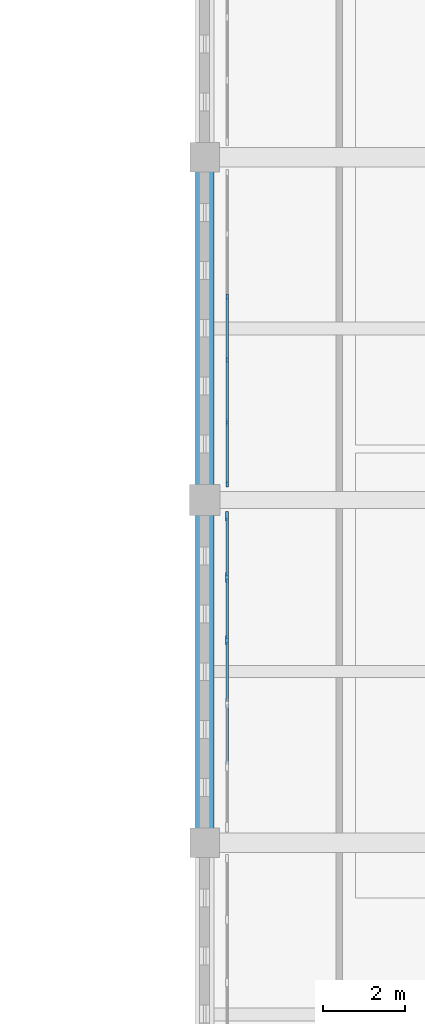
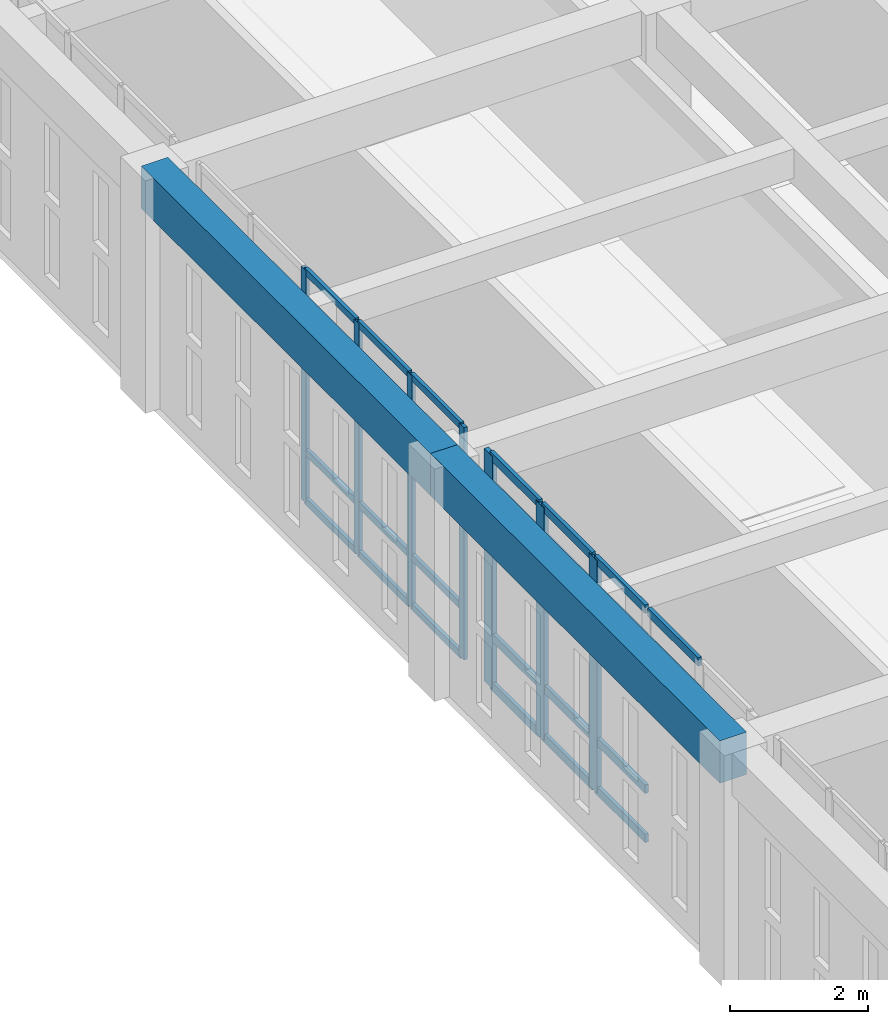
# One storey, part 70 of 192: 33 members, 2 beams, 2 elements without a shape of their own.
"""IFC4 building model written with IfcOpenShell, lengths in metres."""

import ifcopenshell
import ifcopenshell.guid

model = None  # the IFC model being written
_history = None  # IfcOwnerHistory: only IFC2X3 demands one
_inside = {}  # id of a spatial element -> (the spatial element, [elements in it])
_under = {}  # id of a project, library or spatial element -> (it, [spatial elements below it])
_declared = {}  # id of a project -> (the project, [libraries it declares])
_typed = {}  # id of a type object -> (the type object, [elements of that type])
_made_of = {}  # id of a material, layer set ... -> (it, [elements and type objects made of it])


def new_model(schema):
    """Start an empty IFC model of exactly this schema.

    Asked for "IFC4X3", IfcOpenShell would pick the latest addendum, in which some entities
    have other attributes; the version numbers below select the first issue.
    IFC2X3 requires an IfcOwnerHistory on every rooted entity: one is made here for all.
    """
    global model, _history
    if schema == "IFC4X3":
        model = ifcopenshell.file(schema_version=(4, 3, 0, 0))
    else:
        model = ifcopenshell.file(schema=schema)
    _inside.clear()
    _under.clear()
    _declared.clear()
    _typed.clear()
    _made_of.clear()
    _history = None
    if model.schema == "IFC2X3":
        org = make("IfcOrganization", Name="unknown")
        user = make(
            "IfcPersonAndOrganization",
            ThePerson=make("IfcPerson", FamilyName="unknown"),
            TheOrganization=org,
        )
        app = make(
            "IfcApplication",
            ApplicationDeveloper=org,
            Version="unknown",
            ApplicationFullName="unknown",
            ApplicationIdentifier="unknown",
        )
        _history = make(
            "IfcOwnerHistory",
            OwningUser=user,
            OwningApplication=app,
            ChangeAction="ADDED",
            CreationDate=0,
        )
    return model


def make(cls, **values):
    """One entity of the class cls with the attributes given. An attribute that is None is left unset."""
    return model.create_entity(
        cls, **{name: value for name, value in values.items() if value is not None}
    )


def rooted(cls, **values):
    """An entity with a GlobalId (a new one), such as an element, a storey or a relation."""
    return make(cls, GlobalId=ifcopenshell.guid.new(), OwnerHistory=_history, **values)


def si_unit(unit_type, name, prefix=None):
    """IfcSIUnit, for example si_unit("LENGTHUNIT", "METRE", prefix="MILLI")."""
    return make("IfcSIUnit", UnitType=unit_type, Prefix=prefix, Name=name)


def assignment(units):
    """IfcUnitAssignment: the units of a project."""
    return None if units is None else make("IfcUnitAssignment", Units=units)


def point(xyz):
    """IfcCartesianPoint."""
    return None if xyz is None else make("IfcCartesianPoint", Coordinates=xyz)


def direction(xyz):
    """IfcDirection."""
    return None if xyz is None else make("IfcDirection", DirectionRatios=xyz)


def frame(location, z_axis=None, x_axis=None):
    """IfcAxis2Placement3D, a coordinate frame: its origin and axes. An axis left out is left unset."""
    return make(
        "IfcAxis2Placement3D",
        Location=point(location),
        Axis=direction(z_axis),
        RefDirection=direction(x_axis),
    )


def frame_2d(location, x_axis=None):
    """IfcAxis2Placement2D, a coordinate frame in the plane: its origin and x axis."""
    return make(
        "IfcAxis2Placement2D", Location=point(location), RefDirection=direction(x_axis)
    )


def origin():
    """The frame at (0, 0, 0) with its axes left unset."""
    return frame((0.0, 0.0, 0.0))


def origin_2d():
    """The frame at (0, 0) in the plane with its x axis left unset."""
    return frame_2d((0.0, 0.0))


def place(relative_to, where):
    """IfcLocalPlacement: puts the frame where relative to a parent placement (None: the world)."""
    return make(
        "IfcLocalPlacement", PlacementRelTo=relative_to, RelativePlacement=where
    )


def context(
    kind, dimensions, precision=None, world=None, true_north=None, identifier=None
):
    """IfcGeometricRepresentationContext, for example the 3D "Model" context."""
    return make(
        "IfcGeometricRepresentationContext",
        ContextIdentifier=identifier,
        ContextType=kind,
        CoordinateSpaceDimension=dimensions,
        Precision=precision,
        WorldCoordinateSystem=world,
        TrueNorth=true_north,
    )


def subcontext(parent, identifier, kind, view, scale=None):
    """IfcGeometricRepresentationSubContext, for example "Body" below "Model"."""
    return make(
        "IfcGeometricRepresentationSubContext",
        ContextIdentifier=identifier,
        ContextType=kind,
        ParentContext=parent,
        TargetScale=scale,
        TargetView=view,
    )


def project(units=None, contexts=None):
    """IfcProject with its units and contexts."""
    return rooted(
        "IfcProject",
        Name="project",
        RepresentationContexts=contexts,
        UnitsInContext=assignment(units),
    )


def spatial(cls, under=None, at=None, **own):
    """A site, building, storey or space (cls), placed at a placement, below another one or the project."""
    s = rooted(cls, ObjectPlacement=at, **own)
    if under is not None:
        _under.setdefault(under.id(), (under, []))[1].append(s)
    return s


def profile(cls, at=None, kind="AREA", **sizes):
    """A parametric profile (cls). Its sizes go by their IFC names, for example OverallWidth=200.0."""
    return make(cls, ProfileType=kind, Position=at, **sizes)


def rectangle(**sizes):
    """IfcRectangleProfileDef."""
    return profile("IfcRectangleProfileDef", **sizes)


def extrude(swept, where, along, depth):
    """IfcExtrudedAreaSolid: the profile swept, set in the frame where, extruded along a direction by depth."""
    return make(
        "IfcExtrudedAreaSolid",
        SweptArea=swept,
        Position=where,
        ExtrudedDirection=direction(along),
        Depth=depth,
    )


def shape(context_of_items, identifier, shape_type, items):
    """IfcShapeRepresentation: the items that make up one representation, for example the "Body"."""
    return make(
        "IfcShapeRepresentation",
        ContextOfItems=context_of_items,
        RepresentationIdentifier=identifier,
        RepresentationType=shape_type,
        Items=items,
    )


def material(Name=None, Category=None):
    """IfcMaterial."""
    return make("IfcMaterial", Name=Name, Category=Category)


def layer(
    of_material, thickness, ventilated=None, Name=None, Category=None, Priority=None
):
    """IfcMaterialLayer: one layer of a wall or slab, of a material (None: an air gap)."""
    return make(
        "IfcMaterialLayer",
        Material=of_material,
        LayerThickness=thickness,
        IsVentilated=ventilated,
        Name=Name,
        Category=Category,
        Priority=Priority,
    )


def layer_set(layers, Name=None):
    """IfcMaterialLayerSet."""
    return make("IfcMaterialLayerSet", MaterialLayers=layers, LayerSetName=Name)


def material_profile(
    of_material, cross_section, Name=None, Category=None, Priority=None
):
    """IfcMaterialProfile: a cross section and its material."""
    return make(
        "IfcMaterialProfile",
        Name=Name,
        Material=of_material,
        Profile=cross_section,
        Priority=Priority,
        Category=Category,
    )


def profile_set(profiles, Name=None, composite=None):
    """IfcMaterialProfileSet."""
    return make(
        "IfcMaterialProfileSet",
        Name=Name,
        MaterialProfiles=profiles,
        CompositeProfile=composite,
    )


def made_of(thing, what):
    """Note that an element or type object is made of a material, layer set ...; save() writes the relation."""
    if what is not None:
        _made_of.setdefault(what.id(), (what, []))[1].append(thing)
    return thing


def type_object(cls, material=None, **own):
    """A type object (cls), such as IfcWallType, which elements share."""
    return made_of(rooted(cls, **own), material)


def element(
    cls,
    number,
    at=None,
    inside=None,
    cuts=None,
    type_object=None,
    material=None,
    context=None,
    identifier="Body",
    shape_type=None,
    held_by="IfcProductDefinitionShape",
    body=None,
    shapes=None,
    **own,
):
    """One element of the class cls, such as IfcWall. Its Tag is "e" and its number.

    at: its placement. inside: the storey or other place that contains it. cuts: it is an
    opening in that element (IfcRelVoidsElement). A single representation is given by context,
    identifier, shape_type and body (its items); several are given by shapes. held_by: the class
    of the entity that holds the representations. save() writes the other relations.
    """
    e = rooted(cls, Tag="e%d" % number, ObjectPlacement=at, **own)
    if body is not None:
        shapes = [shape(context, identifier, shape_type, body)]
    if shapes is not None:
        e.Representation = make(held_by, Representations=shapes)
    if inside is not None:
        _inside.setdefault(inside.id(), (inside, []))[1].append(e)
    if cuts is not None:
        rooted(
            "IfcRelVoidsElement", RelatingBuildingElement=cuts, RelatedOpeningElement=e
        )
    if type_object is not None:
        _typed.setdefault(type_object.id(), (type_object, []))[1].append(e)
    return made_of(e, material)


def aggregate(whole, parts):
    """IfcRelAggregates: a whole, such as a stair, and the parts it consists of."""
    return rooted("IfcRelAggregates", RelatingObject=whole, RelatedObjects=parts)


def save(model, path):
    """Write the relations noted so far, then the file.

    IfcRelAggregates (storeys below a building ...), IfcRelContainedInSpatialStructure (elements
    in a storey), IfcRelDefinesByType, IfcRelAssociatesMaterial and IfcRelDeclares: one each for
    every whole, place, type object, material and project.
    """
    for whole, parts in _under.values():
        aggregate(whole, parts)
    for where, things in _inside.values():
        rooted(
            "IfcRelContainedInSpatialStructure",
            RelatedElements=things,
            RelatingStructure=where,
        )
    for kind, things in _typed.values():
        rooted("IfcRelDefinesByType", RelatedObjects=things, RelatingType=kind)
    for what, things in _made_of.values():
        rooted("IfcRelAssociatesMaterial", RelatedObjects=things, RelatingMaterial=what)
    for by, libraries in _declared.values():
        rooted("IfcRelDeclares", RelatingContext=by, RelatedDefinitions=libraries)
    model.write(path)


model = new_model("IFC4")

# Units and contexts
model_context = context("Model", 3, precision=1e-05, world=origin(), true_north=direction((0.0, 1.0)))
body_context = subcontext(model_context, "Body", "Model", "MODEL_VIEW")
ifc_project = project(units=[si_unit("LENGTHUNIT", "METRE"), si_unit("AREAUNIT", "SQUARE_METRE"), si_unit("VOLUMEUNIT", "CUBIC_METRE"), si_unit("PLANEANGLEUNIT", "RADIAN"), si_unit("MASSUNIT", "GRAM", prefix="KILO")], contexts=[model_context])

# Site, building, storey
site_placement = place(None, origin())
site = spatial("IfcSite", under=ifc_project, at=site_placement, CompositionType="ELEMENT")
building_placement = place(site_placement, origin())
building = spatial("IfcBuilding", under=site, at=building_placement, Name="Kveldsbrygga Polytechnic", CompositionType="ELEMENT")
storey_placement = place(building_placement, frame((0.0, 0.0, 5.43994140625)))
storey = spatial("IfcBuildingStorey", under=building, at=storey_placement, Name="L01", CompositionType="ELEMENT", Elevation=5.43994140625)

# Beams
ifc_material_1 = material(Name="Concrete C35/45", Category="concrete")
ifc_material_profile_1 = material_profile(ifc_material_1, rectangle(XDim=0.449951171875, YDim=0.75, at=origin_2d()), Name="RC 450x750")
ifc_profile_set_1 = profile_set([ifc_material_profile_1], Name="Concrete C35/45")
beam_type = type_object("IfcBeamType", Name="BM-RC-450x750", PredefinedType="BEAM", material=ifc_profile_set_1)
beam_1_placement = place(storey_placement, frame((126.0, 50.39990234375, 3.7451171875), z_axis=(0.0, 1.0, 0.0), x_axis=(-1.0, 0.0, 0.0)))
element("IfcBeam", 1, at=beam_1_placement, inside=storey, type_object=beam_type, Name="Primary Beam BMY-L01-15-06to07", PredefinedType="BEAM", context=body_context, shape_type="SweptSolid", body=[
    extrude(rectangle(XDim=0.449951171875, YDim=0.75, at=origin_2d()), origin(), (0.0, 0.0, 1.0), 8.400146484375),
])
beam_2_placement = place(storey_placement, frame((126.0, 58.800048828125, 3.7451171875), z_axis=(0.0, 1.0, 0.0), x_axis=(-1.0, 0.0, 0.0)))
element("IfcBeam", 2, at=beam_2_placement, inside=storey, type_object=beam_type, Name="Primary Beam BMY-L01-15-07to08", PredefinedType="BEAM", context=body_context, shape_type="SweptSolid", body=[
    extrude(rectangle(XDim=0.449951171875, YDim=0.75, at=origin_2d()), origin(), (0.0, 0.0, 1.0), 8.39990234375),
])

# Curtain wall, members
ifc_material_2 = material(Name="Anodised aluminium AW-6060", Category="aluminium")
ifc_layer_1 = layer(ifc_material_2, 0.179931640625)
ifc_layer_set_1 = layer_set([ifc_layer_1], Name="Anodised aluminium AW-6060")
curtain_wall_type_1 = type_object("IfcCurtainWallType", Name="CW-CONC-A", PredefinedType="USERDEFINED", material=ifc_layer_set_1)
curtain_wall_1_placement = place(storey_placement, origin())
curtain_wall_1 = element("IfcCurtainWall", 3, at=curtain_wall_1_placement, inside=storey, type_object=curtain_wall_type_1, Name="Curtain Wall CW-L01-Y-15-07", ObjectType="UNITISED CURTAIN WALL", PredefinedType="USERDEFINED")
ifc_material_profile_2 = material_profile(ifc_material_2, rectangle(XDim=0.06005859375, YDim=0.139892578125, at=origin_2d()), Name="ALU 60x140")
ifc_profile_set_2 = profile_set([ifc_material_profile_2], Name="Anodised aluminium AW-6060")
member_type_1 = type_object("IfcMemberType", Name="CW-MUL-140", PredefinedType="MULLION", material=ifc_profile_set_2)
member_1_placement = place(storey_placement, frame((126.550048828125, 59.18994140625, 0.0), z_axis=(0.0, 0.0, 1.0), x_axis=(-1.0, 0.0, 0.0)))
member_1 = element("IfcMember", 4, at=member_1_placement, type_object=member_type_1, Name="CW-01 mullion 1", PredefinedType="MULLION", context=body_context, shape_type="SweptSolid", body=[
    extrude(rectangle(XDim=0.06005859375, YDim=0.139892578125, at=origin_2d()), origin(), (0.0, 0.0, 1.0), 4.1201171875),
])
member_2_placement = place(storey_placement, frame((126.550048828125, 60.698974609375, 0.0), z_axis=(0.0, 0.0, 1.0), x_axis=(-1.0, 0.0, 0.0)))
member_2 = element("IfcMember", 5, at=member_2_placement, type_object=member_type_1, Name="CW-01 mullion 2", PredefinedType="MULLION", context=body_context, shape_type="SweptSolid", body=[
    extrude(rectangle(XDim=0.06005859375, YDim=0.139892578125, at=origin_2d()), origin(), (0.0, 0.0, 1.0), 4.1201171875),
])
member_3_placement = place(storey_placement, frame((126.550048828125, 62.238037109375, 0.0), z_axis=(0.0, 0.0, 1.0), x_axis=(-1.0, 0.0, 0.0)))
member_3 = element("IfcMember", 6, at=member_3_placement, type_object=member_type_1, Name="CW-01 mullion 3", PredefinedType="MULLION", context=body_context, shape_type="SweptSolid", body=[
    extrude(rectangle(XDim=0.06005859375, YDim=0.139892578125, at=origin_2d()), origin(), (0.0, 0.0, 1.0), 4.1201171875),
])
member_4_placement = place(storey_placement, frame((126.550048828125, 63.777099609375, 0.0), z_axis=(0.0, 0.0, 1.0), x_axis=(-1.0, 0.0, 0.0)))
member_4 = element("IfcMember", 7, at=member_4_placement, type_object=member_type_1, Name="CW-01 mullion 4", PredefinedType="MULLION", context=body_context, shape_type="SweptSolid", body=[
    extrude(rectangle(XDim=0.06005859375, YDim=0.139892578125, at=origin_2d()), origin(), (0.0, 0.0, 1.0), 4.1201171875),
])

ifc_layer_2 = layer(ifc_material_2, 0.2099609375)
ifc_layer_set_2 = layer_set([ifc_layer_2], Name="Anodised aluminium AW-6060")
curtain_wall_type_2 = type_object("IfcCurtainWallType", Name="CW-LIBR-H", PredefinedType="USERDEFINED", material=ifc_layer_set_2)
curtain_wall_2_placement = place(storey_placement, origin())
curtain_wall_2 = element("IfcCurtainWall", 8, at=curtain_wall_2_placement, inside=storey, type_object=curtain_wall_type_2, Name="Curtain Wall CW-L01-Y-15-06", ObjectType="UNITISED CURTAIN WALL", PredefinedType="USERDEFINED")
ifc_material_profile_3 = material_profile(ifc_material_2, rectangle(XDim=0.074951171875, YDim=0.239990234375, at=origin_2d()), Name="ALU 75x240")
ifc_profile_set_3 = profile_set([ifc_material_profile_3], Name="Anodised aluminium AW-6060")
member_type_2 = type_object("IfcMemberType", Name="CW-MUL-240", PredefinedType="MULLION", material=ifc_profile_set_3)
member_5_placement = place(storey_placement, frame((126.550048828125, 55.362060546875, 0.0), z_axis=(0.0, 0.0, 1.0), x_axis=(-1.0, 0.0, 0.0)))
member_5 = element("IfcMember", 9, at=member_5_placement, type_object=member_type_2, Name="CW-08 mullion 4", PredefinedType="MULLION", context=body_context, shape_type="SweptSolid", body=[
    extrude(rectangle(XDim=0.074951171875, YDim=0.239990234375, at=origin_2d()), origin(), (0.0, 0.0, 1.0), 4.1201171875),
])
member_6_placement = place(storey_placement, frame((126.550048828125, 56.90087890625, 0.0), z_axis=(0.0, 0.0, 1.0), x_axis=(-1.0, 0.0, 0.0)))
member_6 = element("IfcMember", 10, at=member_6_placement, type_object=member_type_2, Name="CW-08 mullion 5", PredefinedType="MULLION", context=body_context, shape_type="SweptSolid", body=[
    extrude(rectangle(XDim=0.074951171875, YDim=0.239990234375, at=origin_2d()), origin(), (0.0, 0.0, 1.0), 4.1201171875),
])
member_7_placement = place(storey_placement, frame((126.550048828125, 58.402587890625, 0.0), z_axis=(0.0, 0.0, 1.0), x_axis=(-1.0, 0.0, 0.0)))
member_7 = element("IfcMember", 11, at=member_7_placement, type_object=member_type_2, Name="CW-08 mullion 6", PredefinedType="MULLION", context=body_context, shape_type="SweptSolid", body=[
    extrude(rectangle(XDim=0.074951171875, YDim=0.239990234375, at=origin_2d()), origin(), (0.0, 0.0, 1.0), 4.1201171875),
])

# Member
ifc_material_profile_4 = material_profile(ifc_material_2, rectangle(XDim=0.06005859375, YDim=0.1201171875, at=origin_2d()), Name="ALU 60x120")
ifc_profile_set_4 = profile_set([ifc_material_profile_4], Name="Anodised aluminium AW-6060")
member_type_3 = type_object("IfcMemberType", Name="CW-TRN-120", PredefinedType="USERDEFINED", material=ifc_profile_set_4)
member_8_placement = place(storey_placement, frame((126.550048828125, 59.219970703125, 0.030029296875), z_axis=(0.0, 1.0, 0.0), x_axis=(-1.0, 0.0, 0.0)))
member_8 = element("IfcMember", 12, at=member_8_placement, type_object=member_type_3, Name="CW-01 transom 1.1", ObjectType="TRANSOM", PredefinedType="USERDEFINED", context=body_context, shape_type="SweptSolid", body=[
    extrude(rectangle(XDim=0.06005859375, YDim=0.1201171875, at=origin_2d()), origin(), (0.0, 0.0, 1.0), 1.448974609375),
])

member_9_placement = place(storey_placement, frame((126.550048828125, 59.219970703125, 0.900146484375), z_axis=(0.0, 1.0, 0.0), x_axis=(-1.0, 0.0, 0.0)))
member_9 = element("IfcMember", 13, at=member_9_placement, type_object=member_type_3, Name="CW-01 transom 1.2", ObjectType="TRANSOM", PredefinedType="USERDEFINED", context=body_context, shape_type="SweptSolid", body=[
    extrude(rectangle(XDim=0.06005859375, YDim=0.1201171875, at=origin_2d()), origin(), (0.0, 0.0, 1.0), 1.448974609375),
])

member_10_placement = place(storey_placement, frame((126.550048828125, 59.219970703125, 3.570068359375), z_axis=(0.0, 1.0, 0.0), x_axis=(-1.0, 0.0, 0.0)))
member_10 = element("IfcMember", 14, at=member_10_placement, type_object=member_type_3, Name="CW-01 transom 1.3", ObjectType="TRANSOM", PredefinedType="USERDEFINED", context=body_context, shape_type="SweptSolid", body=[
    extrude(rectangle(XDim=0.06005859375, YDim=0.1201171875, at=origin_2d()), origin(), (0.0, 0.0, 1.0), 1.448974609375),
])

member_11_placement = place(storey_placement, frame((126.550048828125, 59.219970703125, 4.090087890625), z_axis=(0.0, 1.0, 0.0), x_axis=(-1.0, 0.0, 0.0)))
member_11 = element("IfcMember", 15, at=member_11_placement, type_object=member_type_3, Name="CW-01 transom 1.4", ObjectType="TRANSOM", PredefinedType="USERDEFINED", context=body_context, shape_type="SweptSolid", body=[
    extrude(rectangle(XDim=0.06005859375, YDim=0.1201171875, at=origin_2d()), origin(), (0.0, 0.0, 1.0), 1.448974609375),
])

member_12_placement = place(storey_placement, frame((126.550048828125, 60.72900390625, 0.030029296875), z_axis=(0.0, 1.0, 0.0), x_axis=(-1.0, 0.0, 0.0)))
member_12 = element("IfcMember", 16, at=member_12_placement, type_object=member_type_3, Name="CW-01 transom 2.1", ObjectType="TRANSOM", PredefinedType="USERDEFINED", context=body_context, shape_type="SweptSolid", body=[
    extrude(rectangle(XDim=0.06005859375, YDim=0.1201171875, at=origin_2d()), origin(), (0.0, 0.0, 1.0), 1.47900390625),
])

member_13_placement = place(storey_placement, frame((126.550048828125, 60.72900390625, 0.900146484375), z_axis=(0.0, 1.0, 0.0), x_axis=(-1.0, 0.0, 0.0)))
member_13 = element("IfcMember", 17, at=member_13_placement, type_object=member_type_3, Name="CW-01 transom 2.2", ObjectType="TRANSOM", PredefinedType="USERDEFINED", context=body_context, shape_type="SweptSolid", body=[
    extrude(rectangle(XDim=0.06005859375, YDim=0.1201171875, at=origin_2d()), origin(), (0.0, 0.0, 1.0), 1.47900390625),
])

member_14_placement = place(storey_placement, frame((126.550048828125, 60.72900390625, 3.570068359375), z_axis=(0.0, 1.0, 0.0), x_axis=(-1.0, 0.0, 0.0)))
member_14 = element("IfcMember", 18, at=member_14_placement, type_object=member_type_3, Name="CW-01 transom 2.3", ObjectType="TRANSOM", PredefinedType="USERDEFINED", context=body_context, shape_type="SweptSolid", body=[
    extrude(rectangle(XDim=0.06005859375, YDim=0.1201171875, at=origin_2d()), origin(), (0.0, 0.0, 1.0), 1.47900390625),
])

member_15_placement = place(storey_placement, frame((126.550048828125, 60.72900390625, 4.090087890625), z_axis=(0.0, 1.0, 0.0), x_axis=(-1.0, 0.0, 0.0)))
member_15 = element("IfcMember", 19, at=member_15_placement, type_object=member_type_3, Name="CW-01 transom 2.4", ObjectType="TRANSOM", PredefinedType="USERDEFINED", context=body_context, shape_type="SweptSolid", body=[
    extrude(rectangle(XDim=0.06005859375, YDim=0.1201171875, at=origin_2d()), origin(), (0.0, 0.0, 1.0), 1.47900390625),
])

member_16_placement = place(storey_placement, frame((126.550048828125, 62.26806640625, 0.030029296875), z_axis=(0.0, 1.0, 0.0), x_axis=(-1.0, 0.0, 0.0)))
member_16 = element("IfcMember", 20, at=member_16_placement, type_object=member_type_3, Name="CW-01 transom 3.1", ObjectType="TRANSOM", PredefinedType="USERDEFINED", context=body_context, shape_type="SweptSolid", body=[
    extrude(rectangle(XDim=0.06005859375, YDim=0.1201171875, at=origin_2d()), origin(), (0.0, 0.0, 1.0), 1.47900390625),
])

member_17_placement = place(storey_placement, frame((126.550048828125, 62.26806640625, 0.900146484375), z_axis=(0.0, 1.0, 0.0), x_axis=(-1.0, 0.0, 0.0)))
member_17 = element("IfcMember", 21, at=member_17_placement, type_object=member_type_3, Name="CW-01 transom 3.2", ObjectType="TRANSOM", PredefinedType="USERDEFINED", context=body_context, shape_type="SweptSolid", body=[
    extrude(rectangle(XDim=0.06005859375, YDim=0.1201171875, at=origin_2d()), origin(), (0.0, 0.0, 1.0), 1.47900390625),
])

member_18_placement = place(storey_placement, frame((126.550048828125, 62.26806640625, 3.570068359375), z_axis=(0.0, 1.0, 0.0), x_axis=(-1.0, 0.0, 0.0)))
member_18 = element("IfcMember", 22, at=member_18_placement, type_object=member_type_3, Name="CW-01 transom 3.3", ObjectType="TRANSOM", PredefinedType="USERDEFINED", context=body_context, shape_type="SweptSolid", body=[
    extrude(rectangle(XDim=0.06005859375, YDim=0.1201171875, at=origin_2d()), origin(), (0.0, 0.0, 1.0), 1.47900390625),
])

member_19_placement = place(storey_placement, frame((126.550048828125, 62.26806640625, 4.090087890625), z_axis=(0.0, 1.0, 0.0), x_axis=(-1.0, 0.0, 0.0)))
member_19 = element("IfcMember", 23, at=member_19_placement, type_object=member_type_3, Name="CW-01 transom 3.4", ObjectType="TRANSOM", PredefinedType="USERDEFINED", context=body_context, shape_type="SweptSolid", body=[
    extrude(rectangle(XDim=0.06005859375, YDim=0.1201171875, at=origin_2d()), origin(), (0.0, 0.0, 1.0), 1.47900390625),
])

aggregate(curtain_wall_1, [member_1, member_2, member_3, member_4, member_8, member_9, member_10, member_11, member_12, member_13, member_14, member_15, member_16, member_17, member_18, member_19])

ifc_material_profile_5 = material_profile(ifc_material_2, rectangle(XDim=0.06005859375, YDim=0.14990234375, at=origin_2d()), Name="ALU 60x150")
ifc_profile_set_5 = profile_set([ifc_material_profile_5], Name="Anodised aluminium AW-6060")
member_type_4 = type_object("IfcMemberType", Name="CW-TRN-150", PredefinedType="USERDEFINED", material=ifc_profile_set_5)
member_20_placement = place(storey_placement, frame((126.550048828125, 52.321533203125, 3.570068359375), z_axis=(0.0, 1.0, 0.0), x_axis=(-1.0, 0.0, 0.0)))
member_20 = element("IfcMember", 24, at=member_20_placement, type_object=member_type_4, Name="CW-08 transom 2.3", ObjectType="TRANSOM", PredefinedType="USERDEFINED", context=body_context, shape_type="SweptSolid", body=[
    extrude(rectangle(XDim=0.06005859375, YDim=0.14990234375, at=origin_2d()), origin(), (0.0, 0.0, 1.0), 1.4638671875),
])

member_21_placement = place(storey_placement, frame((126.550048828125, 52.321533203125, 4.090087890625), z_axis=(0.0, 1.0, 0.0), x_axis=(-1.0, 0.0, 0.0)))
member_21 = element("IfcMember", 25, at=member_21_placement, type_object=member_type_4, Name="CW-08 transom 2.4", ObjectType="TRANSOM", PredefinedType="USERDEFINED", context=body_context, shape_type="SweptSolid", body=[
    extrude(rectangle(XDim=0.06005859375, YDim=0.14990234375, at=origin_2d()), origin(), (0.0, 0.0, 1.0), 1.4638671875),
])

member_22_placement = place(storey_placement, frame((126.550048828125, 53.860595703125, 0.030029296875), z_axis=(0.0, 1.0, 0.0), x_axis=(-1.0, 0.0, 0.0)))
member_22 = element("IfcMember", 26, at=member_22_placement, type_object=member_type_4, Name="CW-08 transom 3.1", ObjectType="TRANSOM", PredefinedType="USERDEFINED", context=body_context, shape_type="SweptSolid", body=[
    extrude(rectangle(XDim=0.06005859375, YDim=0.14990234375, at=origin_2d()), origin(), (0.0, 0.0, 1.0), 1.4638671875),
])

member_23_placement = place(storey_placement, frame((126.550048828125, 53.860595703125, 0.900146484375), z_axis=(0.0, 1.0, 0.0), x_axis=(-1.0, 0.0, 0.0)))
member_23 = element("IfcMember", 27, at=member_23_placement, type_object=member_type_4, Name="CW-08 transom 3.2", ObjectType="TRANSOM", PredefinedType="USERDEFINED", context=body_context, shape_type="SweptSolid", body=[
    extrude(rectangle(XDim=0.06005859375, YDim=0.14990234375, at=origin_2d()), origin(), (0.0, 0.0, 1.0), 1.4638671875),
])

member_24_placement = place(storey_placement, frame((126.550048828125, 53.860595703125, 3.570068359375), z_axis=(0.0, 1.0, 0.0), x_axis=(-1.0, 0.0, 0.0)))
member_24 = element("IfcMember", 28, at=member_24_placement, type_object=member_type_4, Name="CW-08 transom 3.3", ObjectType="TRANSOM", PredefinedType="USERDEFINED", context=body_context, shape_type="SweptSolid", body=[
    extrude(rectangle(XDim=0.06005859375, YDim=0.14990234375, at=origin_2d()), origin(), (0.0, 0.0, 1.0), 1.4638671875),
])

member_25_placement = place(storey_placement, frame((126.550048828125, 53.860595703125, 4.090087890625), z_axis=(0.0, 1.0, 0.0), x_axis=(-1.0, 0.0, 0.0)))
member_25 = element("IfcMember", 29, at=member_25_placement, type_object=member_type_4, Name="CW-08 transom 3.4", ObjectType="TRANSOM", PredefinedType="USERDEFINED", context=body_context, shape_type="SweptSolid", body=[
    extrude(rectangle(XDim=0.06005859375, YDim=0.14990234375, at=origin_2d()), origin(), (0.0, 0.0, 1.0), 1.4638671875),
])

member_26_placement = place(storey_placement, frame((126.550048828125, 55.3994140625, 0.030029296875), z_axis=(0.0, 1.0, 0.0), x_axis=(-1.0, 0.0, 0.0)))
member_26 = element("IfcMember", 30, at=member_26_placement, type_object=member_type_4, Name="CW-08 transom 4.1", ObjectType="TRANSOM", PredefinedType="USERDEFINED", context=body_context, shape_type="SweptSolid", body=[
    extrude(rectangle(XDim=0.06005859375, YDim=0.14990234375, at=origin_2d()), origin(), (0.0, 0.0, 1.0), 1.464111328125),
])

member_27_placement = place(storey_placement, frame((126.550048828125, 55.3994140625, 0.900146484375), z_axis=(0.0, 1.0, 0.0), x_axis=(-1.0, 0.0, 0.0)))
member_27 = element("IfcMember", 31, at=member_27_placement, type_object=member_type_4, Name="CW-08 transom 4.2", ObjectType="TRANSOM", PredefinedType="USERDEFINED", context=body_context, shape_type="SweptSolid", body=[
    extrude(rectangle(XDim=0.06005859375, YDim=0.14990234375, at=origin_2d()), origin(), (0.0, 0.0, 1.0), 1.464111328125),
])

member_28_placement = place(storey_placement, frame((126.550048828125, 55.3994140625, 3.570068359375), z_axis=(0.0, 1.0, 0.0), x_axis=(-1.0, 0.0, 0.0)))
member_28 = element("IfcMember", 32, at=member_28_placement, type_object=member_type_4, Name="CW-08 transom 4.3", ObjectType="TRANSOM", PredefinedType="USERDEFINED", context=body_context, shape_type="SweptSolid", body=[
    extrude(rectangle(XDim=0.06005859375, YDim=0.14990234375, at=origin_2d()), origin(), (0.0, 0.0, 1.0), 1.464111328125),
])

member_29_placement = place(storey_placement, frame((126.550048828125, 55.3994140625, 4.090087890625), z_axis=(0.0, 1.0, 0.0), x_axis=(-1.0, 0.0, 0.0)))
member_29 = element("IfcMember", 33, at=member_29_placement, type_object=member_type_4, Name="CW-08 transom 4.4", ObjectType="TRANSOM", PredefinedType="USERDEFINED", context=body_context, shape_type="SweptSolid", body=[
    extrude(rectangle(XDim=0.06005859375, YDim=0.14990234375, at=origin_2d()), origin(), (0.0, 0.0, 1.0), 1.464111328125),
])

member_30_placement = place(storey_placement, frame((126.550048828125, 56.9384765625, 0.030029296875), z_axis=(0.0, 1.0, 0.0), x_axis=(-1.0, 0.0, 0.0)))
member_30 = element("IfcMember", 34, at=member_30_placement, type_object=member_type_4, Name="CW-08 transom 5.1", ObjectType="TRANSOM", PredefinedType="USERDEFINED", context=body_context, shape_type="SweptSolid", body=[
    extrude(rectangle(XDim=0.06005859375, YDim=0.14990234375, at=origin_2d()), origin(), (0.0, 0.0, 1.0), 1.426513671875),
])

member_31_placement = place(storey_placement, frame((126.550048828125, 56.9384765625, 0.900146484375), z_axis=(0.0, 1.0, 0.0), x_axis=(-1.0, 0.0, 0.0)))
member_31 = element("IfcMember", 35, at=member_31_placement, type_object=member_type_4, Name="CW-08 transom 5.2", ObjectType="TRANSOM", PredefinedType="USERDEFINED", context=body_context, shape_type="SweptSolid", body=[
    extrude(rectangle(XDim=0.06005859375, YDim=0.14990234375, at=origin_2d()), origin(), (0.0, 0.0, 1.0), 1.426513671875),
])

member_32_placement = place(storey_placement, frame((126.550048828125, 56.9384765625, 3.570068359375), z_axis=(0.0, 1.0, 0.0), x_axis=(-1.0, 0.0, 0.0)))
member_32 = element("IfcMember", 36, at=member_32_placement, type_object=member_type_4, Name="CW-08 transom 5.3", ObjectType="TRANSOM", PredefinedType="USERDEFINED", context=body_context, shape_type="SweptSolid", body=[
    extrude(rectangle(XDim=0.06005859375, YDim=0.14990234375, at=origin_2d()), origin(), (0.0, 0.0, 1.0), 1.426513671875),
])

member_33_placement = place(storey_placement, frame((126.550048828125, 56.9384765625, 4.090087890625), z_axis=(0.0, 1.0, 0.0), x_axis=(-1.0, 0.0, 0.0)))
member_33 = element("IfcMember", 37, at=member_33_placement, type_object=member_type_4, Name="CW-08 transom 5.4", ObjectType="TRANSOM", PredefinedType="USERDEFINED", context=body_context, shape_type="SweptSolid", body=[
    extrude(rectangle(XDim=0.06005859375, YDim=0.14990234375, at=origin_2d()), origin(), (0.0, 0.0, 1.0), 1.426513671875),
])

aggregate(curtain_wall_2, [member_5, member_6, member_7, member_20, member_21, member_22, member_23, member_24, member_25, member_26, member_27, member_28, member_29, member_30, member_31, member_32, member_33])

save(model, "model.ifc")
